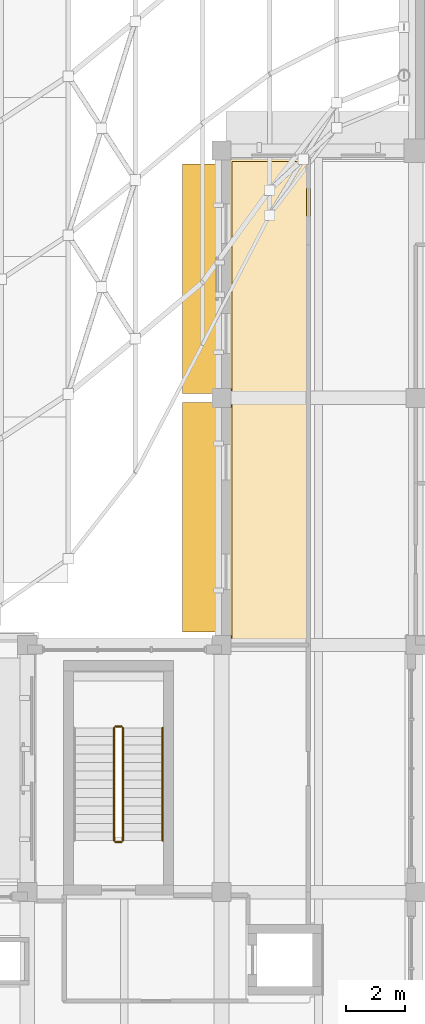
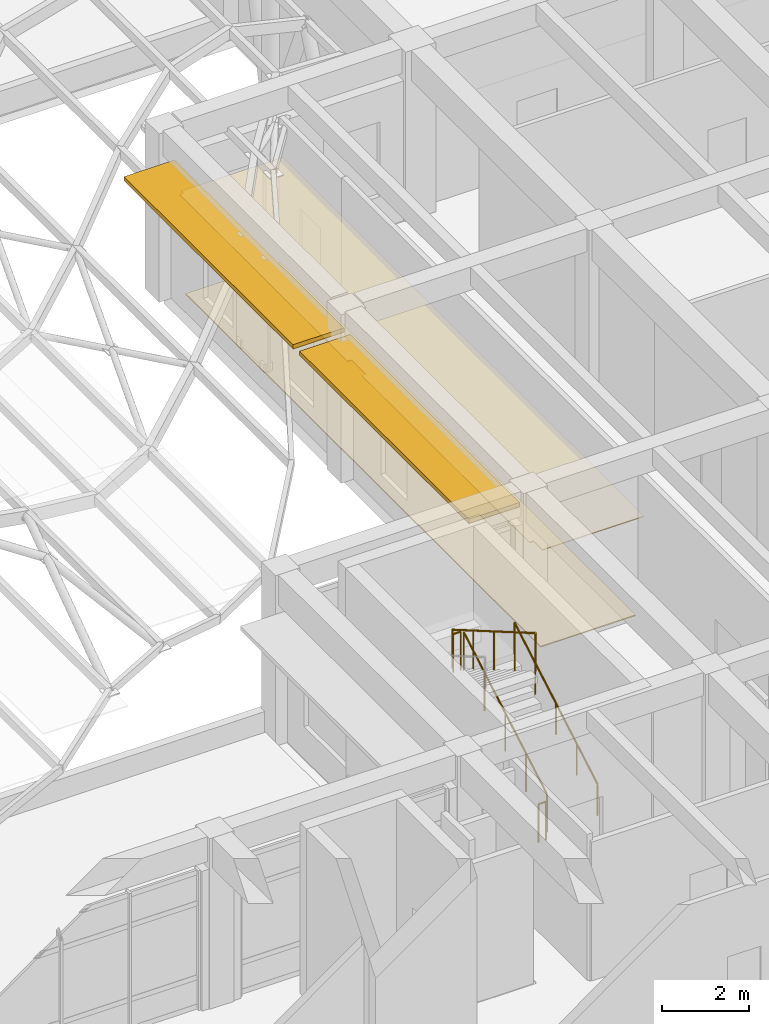
# One storey, part 75 of 79: 5 railings, 2 coverings, 2 shading devices.
"""IFC4 building model written with IfcOpenShell, lengths in metres."""

from ifc_helpers import new_model, si_unit, direction, frame, origin, origin_2d, place, context, subcontext, project, spatial, polyline, rectangle, circle, outline, extrude, material, layer, layer_set, type_object, element, save


model = new_model("IFC4")

# Units and contexts
model_context = context("Model", 3, precision=1e-05, world=origin(), true_north=direction((0.0, 1.0)))
body_context = subcontext(model_context, "Body", "Model", "MODEL_VIEW")
ifc_project = project(units=[si_unit("LENGTHUNIT", "METRE"), si_unit("AREAUNIT", "SQUARE_METRE"), si_unit("VOLUMEUNIT", "CUBIC_METRE"), si_unit("PLANEANGLEUNIT", "RADIAN"), si_unit("MASSUNIT", "GRAM", prefix="KILO")], contexts=[model_context])

# Site, building, storey
site_placement = place(None, origin())
site = spatial("IfcSite", under=ifc_project, at=site_placement, CompositionType="ELEMENT")
building_placement = place(site_placement, origin())
building = spatial("IfcBuilding", under=site, at=building_placement, Name="Kolvaren Faculty of Natural Sciences", CompositionType="ELEMENT")
storey_placement = place(building_placement, frame((0.0, 0.0, 10.199951171875)))
storey = spatial("IfcBuildingStorey", under=building, at=storey_placement, Name="L02", CompositionType="ELEMENT", Elevation=10.199951171875)

# Covering
ifc_material_1 = material(Name="Perforated mineral-fibre acoustic suspended ceiling tile")
ifc_layer_1 = layer(ifc_material_1, 0.02490234375)
ifc_layer_set_1 = layer_set([ifc_layer_1], Name="Perforated mineral-fibre acoustic suspended ceiling tile")
covering_type_1 = type_object("IfcCoveringType", Name="AcousticSuspendedCeiling_25", PredefinedType="CEILING", material=ifc_layer_set_1)
covering_1_placement = place(storey_placement, frame((0.0, 0.0, 2.824951171875)))
element("IfcCovering", 1, at=covering_1_placement, inside=storey, type_object=covering_type_1, Name="L02 L02 Geochemistry Specimen Archive acoustic ceiling", PredefinedType="CEILING", context=body_context, shape_type="SweptSolid", body=[
    extrude(outline(polyline([(132.419921875, 50.27490234375), (132.52490234375, 50.27490234375), (132.52490234375, 50.925048828125), (132.419921875, 50.925048828125), (132.419921875, 58.675048828125), (132.52490234375, 58.675048828125), (132.52490234375, 58.780029296875), (135.22998046875, 58.780029296875), (135.22998046875, 42.1201171875), (132.52490234375, 42.1201171875), (132.52490234375, 42.52490234375), (132.419921875, 42.52490234375), (132.419921875, 50.27490234375)])), origin(), (0.0, 0.0, 1.0), 0.025146484375),
])

# Shading devices
ifc_material_2 = material(Name="Precast concrete C35/45", Category="concrete")
ifc_layer_2 = layer(ifc_material_2, 0.1201171875)
ifc_layer_set_2 = layer_set([ifc_layer_2], Name="Precast concrete C35/45")
shading_device_type = type_object("IfcShadingDeviceType", Name="ChhajjaSolarHood_1350", PredefinedType="AWNING", material=ifc_layer_set_2)
for number, where, z_axis, x_axis, name in (
    (2, (131.544921875, 46.550048828125, 3.844970703125), (0.0, 0.0, 1.0), (0.0, 1.0, 0.0), "L02 precast sandstone chhajja solar hood 96"),
    (3, (131.544921875, 54.64990234375, 3.844970703125), (0.0, 0.0, 1.0), (0.0, 1.0, 0.0), "L02 precast sandstone chhajja solar hood 97"),
):
    element("IfcShadingDevice", number, at=place(storey_placement, frame(where, z_axis=z_axis, x_axis=x_axis)), inside=storey, type_object=shading_device_type, Name=name, PredefinedType="AWNING", context=body_context, shape_type="SweptSolid", body=[
        extrude(rectangle(XDim=7.800048828125, YDim=1.35009765625, at=origin_2d()), origin(), (0.0, 0.0, 1.0), 0.1201171875),
    ])

# Railings
ifc_material_3 = material(Name="Structural steel EN 10210-1 S355J2H", Category="steel")
ifc_layer_3 = layer(ifc_material_3, 0.048095703125)
ifc_layer_set_3 = layer_set([ifc_layer_3], Name="Structural steel EN 10210-1 S355J2H")
railing_type_1 = type_object("IfcRailingType", Name="StairPitchHandrail_920", PredefinedType="HANDRAIL", material=ifc_layer_set_3)
railing_1_placement = place(storey_placement, frame((130.199951171875, 35.550048828125, 0.17138671875)))
element("IfcRailing", 4, at=railing_1_placement, inside=storey, type_object=railing_type_1, Name="L02 ST-3 stair handrail 1", PredefinedType="HANDRAIL", context=body_context, shape_type="SweptSolid", body=[
    extrude(circle(Radius=0.02392578125, at=origin_2d()), frame((0.0, 0.0, 0.8759765625), z_axis=(0.0, 0.864592272851, 0.502474080651), x_axis=(-1.0, 0.0, 0.0)), (0.0, 0.0, 1.0), 4.435546875),
    extrude(circle(Radius=0.02099609375, at=origin_2d()), origin(), (0.0, 0.0, 1.0), 0.851806640625),
    extrude(circle(Radius=0.02099609375, at=origin_2d()), frame((0.0, 0.958740234375, 0.55712890625)), (0.0, 0.0, 1.0), 0.851806640625),
    extrude(circle(Radius=0.02099609375, at=origin_2d()), frame((0.0, 1.91748046875, 1.1142578125)), (0.0, 0.0, 1.0), 0.851806640625),
    extrude(circle(Radius=0.02099609375, at=origin_2d()), frame((0.0, 2.876220703125, 1.671630859375)), (0.0, 0.0, 1.0), 0.851806640625),
    extrude(circle(Radius=0.02099609375, at=origin_2d()), frame((0.0, 3.8349609375, 2.228759765625)), (0.0, 0.0, 1.0), 0.851806640625),
])
ifc_layer_4 = layer(ifc_material_3, 0.048095703125)
ifc_layer_set_4 = layer_set([ifc_layer_4], Name="Structural steel EN 10210-1 S355J2H")
railing_type_2 = type_object("IfcRailingType", Name="StairWellGuard_1100", PredefinedType="BALUSTRADE", material=ifc_layer_set_4)
railing_2_placement = place(storey_placement, frame((128.85009765625, 35.550048828125, 0.17138671875)))
element("IfcRailing", 5, at=railing_2_placement, inside=storey, type_object=railing_type_2, Name="L02 ST-3 stair guard 1", PredefinedType="BALUSTRADE", context=body_context, shape_type="SweptSolid", body=[
    extrude(circle(Radius=0.02392578125, at=origin_2d()), frame((0.0, 0.0, 1.076171875), z_axis=(0.0, 0.864592272851, 0.502474080651), x_axis=(-1.0, 0.0, 0.0)), (0.0, 0.0, 1.0), 4.435546875),
    extrude(circle(Radius=0.02099609375, at=origin_2d()), origin(), (0.0, 0.0, 1.0), 1.052001953125),
    extrude(circle(Radius=0.02099609375, at=origin_2d()), frame((0.0, 0.958740234375, 0.55712890625)), (0.0, 0.0, 1.0), 1.052001953125),
    extrude(circle(Radius=0.02099609375, at=origin_2d()), frame((0.0, 1.91748046875, 1.1142578125)), (0.0, 0.0, 1.0), 1.052001953125),
    extrude(circle(Radius=0.02099609375, at=origin_2d()), frame((0.0, 2.876220703125, 1.671630859375)), (0.0, 0.0, 1.0), 1.052001953125),
    extrude(circle(Radius=0.02099609375, at=origin_2d()), frame((0.0, 3.8349609375, 2.228759765625)), (0.0, 0.0, 1.0), 1.052001953125),
])
railing_3_placement = place(storey_placement, frame((128.800048828125, 39.43505859375, 2.400146484375)))
element("IfcRailing", 6, at=railing_3_placement, inside=storey, type_object=railing_type_2, Name="L02 ST-3 stair guard 2", PredefinedType="BALUSTRADE", context=body_context, shape_type="SweptSolid", body=[
    extrude(circle(Radius=0.02392578125, at=origin_2d()), frame((0.0, 0.0, 1.076171875), z_axis=(-1.0, 0.0, 0.0), x_axis=(0.0, -1.0, 0.0)), (0.0, 0.0, 1.0), 0.199951171875),
    extrude(circle(Radius=0.02099609375, at=origin_2d()), origin(), (0.0, 0.0, 1.0), 1.052001953125),
    extrude(circle(Radius=0.02099609375, at=origin_2d()), frame((-0.199951171875, 0.0, 0.0)), (0.0, 0.0, 1.0), 1.052001953125),
])
railing_4_placement = place(storey_placement, frame((128.550048828125, 39.385009765625, 2.571533203125)))
element("IfcRailing", 7, at=railing_4_placement, inside=storey, type_object=railing_type_2, Name="L02 ST-3 stair guard 3", PredefinedType="BALUSTRADE", context=body_context, shape_type="SweptSolid", body=[
    extrude(circle(Radius=0.02392578125, at=origin_2d()), frame((0.0, 0.0, 1.076171875), z_axis=(0.0, -0.86461618451, 0.502432934314), x_axis=(1.0, 0.0, 0.0)), (0.0, 0.0, 1.0), 4.435546875),
    extrude(circle(Radius=0.02099609375, at=origin_2d()), origin(), (0.0, 0.0, 1.0), 1.052001953125),
    extrude(circle(Radius=0.02099609375, at=origin_2d()), frame((0.0, -0.958740234375, 0.55712890625)), (0.0, 0.0, 1.0), 1.052001953125),
    extrude(circle(Radius=0.02099609375, at=origin_2d()), frame((0.0, -1.91748046875, 1.1142578125)), (0.0, 0.0, 1.0), 1.052001953125),
    extrude(circle(Radius=0.02099609375, at=origin_2d()), frame((0.0, -2.876220703125, 1.67138671875)), (0.0, 0.0, 1.0), 1.052001953125),
    extrude(circle(Radius=0.02099609375, at=origin_2d()), frame((0.0, -3.8349609375, 2.228515625)), (0.0, 0.0, 1.0), 1.052001953125),
])
railing_5_placement = place(storey_placement, frame((128.800048828125, 35.5, 0.0)))
element("IfcRailing", 8, at=railing_5_placement, inside=storey, type_object=railing_type_2, Name="L02 ST-3 stair guard 4", PredefinedType="BALUSTRADE", context=body_context, shape_type="SweptSolid", body=[
    extrude(circle(Radius=0.02392578125, at=origin_2d()), frame((0.0, 0.0, 1.076171875), z_axis=(-1.0, 0.0, 0.0), x_axis=(0.0, -1.0, 0.0)), (0.0, 0.0, 1.0), 0.199951171875),
    extrude(circle(Radius=0.02099609375, at=origin_2d()), origin(), (0.0, 0.0, 1.0), 1.052001953125),
    extrude(circle(Radius=0.02099609375, at=origin_2d()), frame((-0.199951171875, 0.0, 0.0)), (0.0, 0.0, 1.0), 1.052001953125),
])

# Covering
ifc_material_4 = material(Name="Polished Uruguayan grey granite terrazzo flooring", Category="masonry")
ifc_layer_5 = layer(ifc_material_4, 0.030029296875)
ifc_layer_set_5 = layer_set([ifc_layer_5], Name="Polished Uruguayan grey granite terrazzo flooring")
covering_type_2 = type_object("IfcCoveringType", Name="TerrazzoFloorFinish_30", PredefinedType="FLOORING", material=ifc_layer_set_5)
covering_2_placement = place(storey_placement, origin())
element("IfcCovering", 9, at=covering_2_placement, inside=storey, type_object=covering_type_2, Name="L02 L02 Geochemistry Specimen Archive floor finish", PredefinedType="FLOORING", context=body_context, shape_type="SweptSolid", body=[
    extrude(outline(polyline([(132.56005859375, 58.639892578125), (135.090087890625, 58.639892578125), (135.090087890625, 42.260009765625), (132.56005859375, 42.260009765625), (132.56005859375, 58.639892578125)])), origin(), (0.0, 0.0, 1.0), 0.030029296875),
])

save(model, "model.ifc")
